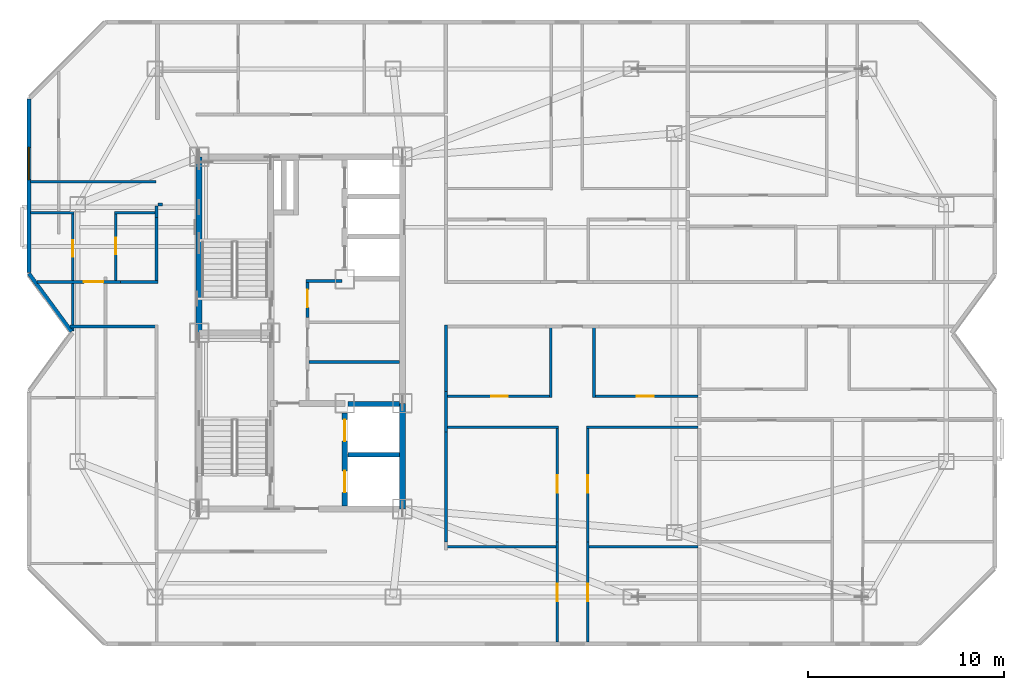
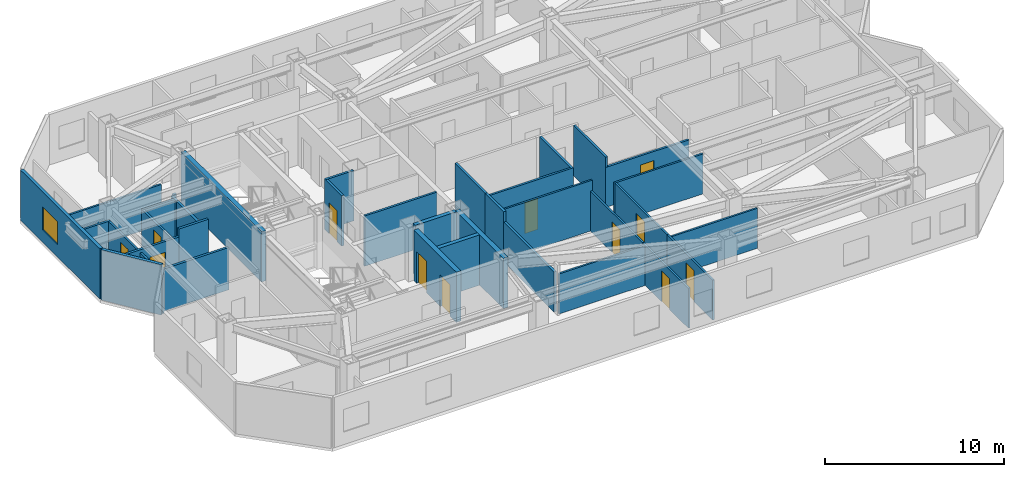
# One storey, part 5 of 10: 36 walls, 12 doors, 1 window, 13 openings.
"""IFC4 building model written with IfcOpenShell, lengths in metres."""

from ifc_helpers import new_model, si_unit, direction, frame, frame_2d, origin, place, context, subcontext, project, spatial, rectangle, extrude, material, layer, layer_set, type_object, element, fill, save


model = new_model("IFC4")

# Units and contexts
model_context = context("Model", 3, precision=1e-05, world=origin(), true_north=direction((0.0, 1.0)))
body_context = subcontext(model_context, "Body", "Model", "MODEL_VIEW")
ifc_project = project(units=[si_unit("LENGTHUNIT", "METRE"), si_unit("AREAUNIT", "SQUARE_METRE"), si_unit("VOLUMEUNIT", "CUBIC_METRE"), si_unit("PLANEANGLEUNIT", "RADIAN"), si_unit("MASSUNIT", "GRAM", prefix="KILO")], contexts=[model_context])

# Site, building, storey
site_placement = place(None, origin())
site = spatial("IfcSite", under=ifc_project, at=site_placement, CompositionType="ELEMENT")
building_placement = place(site_placement, origin())
building = spatial("IfcBuilding", under=site, at=building_placement, Name="Khamvora Tower", CompositionType="ELEMENT")
storey_placement = place(building_placement, frame((0.0, 0.0, 257.35009765625)))
storey = spatial("IfcBuildingStorey", under=building, at=storey_placement, Name="L66", CompositionType="ELEMENT", Elevation=257.35009765625)

# Walls
ifc_material_1 = material(Name="Concrete C50/60", Category="concrete")
ifc_layer_1 = layer(ifc_material_1, 0.300048828125)
ifc_layer_set_1 = layer_set([ifc_layer_1], Name="Concrete C50/60")
wall_type_1 = type_object("IfcWallType", Name="WAL-CORE-300", PredefinedType="SHEAR", material=ifc_layer_set_1)
wall_1_placement = place(storey_placement, frame((29.0, 28.0, 0.0), z_axis=(0.0, 0.0, 1.0), x_axis=(0.0, 1.0, 0.0)))
element("IfcWall", 1, at=wall_1_placement, inside=storey, type_object=wall_type_1, Name="L66 central core west north wall", PredefinedType="SHEAR", context=body_context, shape_type="SweptSolid", body=[
    extrude(rectangle(XDim=9.0, YDim=0.300048828125, at=frame_2d((4.5, 0.0))), origin(), (0.0, 0.0, 1.0), 3.429931640625),
])
wall_2_placement = place(storey_placement, frame((39.39990234375, 19.0, 0.0), z_axis=(0.0, 0.0, 1.0), x_axis=(0.0, 1.0, 0.0)))
element("IfcWall", 2, at=wall_2_placement, inside=storey, type_object=wall_type_1, Name="L66 central core east south wall", PredefinedType="SHEAR", context=body_context, shape_type="SweptSolid", body=[
    extrude(rectangle(XDim=5.39990234375, YDim=0.300048828125, at=frame_2d((2.699951171875, 0.0))), origin(), (0.0, 0.0, 1.0), 3.429931640625),
])

# Wall, openings, doors
wall_3_placement = place(storey_placement, frame((36.449951171875, 19.154052734375, 0.0), z_axis=(0.0, 0.0, 1.0), x_axis=(0.0, 1.0, 0.0)))
wall_3 = element("IfcWall", 3, at=wall_3_placement, inside=storey, type_object=wall_type_1, Name="L66 central core lift bank south wall", PredefinedType="SHEAR", context=body_context, shape_type="SweptSolid", body=[
    extrude(rectangle(XDim=4.745849609375, YDim=0.300048828125, at=frame_2d((2.373046875, 0.0))), origin(), (0.0, 0.0, 1.0), 3.429931640625),
])
opening_1_placement = place(wall_3_placement, frame((0.696044921875, 0.0, 0.0)))
opening_1 = element("IfcOpeningElement", 4, at=opening_1_placement, cuts=wall_3, Name="Opening LD-FFL", PredefinedType="OPENING", context=body_context, shape_type="SweptSolid", body=[
    extrude(rectangle(XDim=1.10009765625, YDim=2.14990234375, at=frame_2d((0.550048828125, 1.074951171875))), frame((0.0, 0.159912109375, 0.0), z_axis=(0.0, -1.0, 0.0), x_axis=(1.0, 0.0, 0.0)), (0.0, 0.0, 1.0), 0.320068359375),
])
opening_2_placement = place(wall_3_placement, frame((3.31591796875, 0.0, 0.0)))
opening_2 = element("IfcOpeningElement", 5, at=opening_2_placement, cuts=wall_3, Name="Opening LD-FFL", PredefinedType="OPENING", context=body_context, shape_type="SweptSolid", body=[
    extrude(rectangle(XDim=1.10009765625, YDim=2.14990234375, at=frame_2d((0.550048828125, 1.074951171875))), frame((0.0, 0.159912109375, 0.0), z_axis=(0.0, -1.0, 0.0), x_axis=(1.0, 0.0, 0.0)), (0.0, 0.0, 1.0), 0.320068359375),
])
ifc_material_2 = material(Name="Powder-Coated Steel and Hardwood Leaf", Category="steel")
door_type_1 = type_object("IfcDoorType", Name="DOR-LIFT-1100", OperationType="SLIDING_TO_LEFT", PredefinedType="DOOR", material=ifc_material_2)
door_1_placement = place(opening_1_placement, origin())
door_1 = element("IfcDoor", 6, at=door_1_placement, inside=storey, type_object=door_type_1, Name="L66 lift landing sliding door FFL-01", OperationType="SLIDING_TO_LEFT", OverallHeight=2.14990234375, OverallWidth=1.10009765625, PredefinedType="DOOR", context=body_context, shape_type="SweptSolid", body=[
    extrude(rectangle(XDim=1.10009765625, YDim=2.14990234375, at=frame_2d((0.550048828125, 1.074951171875))), frame((0.0, 0.02490234375, 0.0), z_axis=(0.0, -1.0, 0.0), x_axis=(1.0, 0.0, 0.0)), (0.0, 0.0, 1.0), 0.050048828125),
])
fill(opening_1, door_1)
door_2_placement = place(opening_2_placement, origin())
door_2 = element("IfcDoor", 7, at=door_2_placement, inside=storey, type_object=door_type_1, Name="L66 lift landing sliding door FFL-02", OperationType="SLIDING_TO_LEFT", OverallHeight=2.14990234375, OverallWidth=1.10009765625, PredefinedType="DOOR", context=body_context, shape_type="SweptSolid", body=[
    extrude(rectangle(XDim=1.10009765625, YDim=2.14990234375, at=frame_2d((0.550048828125, 1.074951171875))), frame((0.0, 0.02490234375, 0.0), z_axis=(0.0, -1.0, 0.0), x_axis=(1.0, 0.0, 0.0)), (0.0, 0.0, 1.0), 0.050048828125),
])
fill(opening_2, door_2)

# Wall
ifc_material_3 = material(Name="Fire-Rated Drywall and Steel Stud", Category="steel")
ifc_layer_2 = layer(ifc_material_3, 0.14990234375)
ifc_layer_set_2 = layer_set([ifc_layer_2], Name="Fire-Rated Drywall and Steel Stud")
wall_type_2 = type_object("IfcWallType", Name="WAL-CORR-150", PredefinedType="STANDARD", material=ifc_layer_set_2)
wall_4_placement = place(storey_placement, frame((36.300048828125, 30.6650390625, 0.0), z_axis=(0.0, 0.0, 1.0), x_axis=(-1.0, 0.0, 0.0)))
element("IfcWall", 8, at=wall_4_placement, inside=storey, type_object=wall_type_2, Name="L66 interior partition wall 003", PredefinedType="STANDARD", context=body_context, shape_type="SweptSolid", body=[
    extrude(rectangle(XDim=1.820068359375, YDim=0.14990234375, at=frame_2d((0.91015625, 0.0))), origin(), (0.0, 0.0, 1.0), 3.429931640625),
])

# Wall, opening, door
wall_5_placement = place(storey_placement, frame((34.544921875, 30.72998046875, 0.0), z_axis=(0.0, 0.0, 1.0), x_axis=(0.0, -1.0, 0.0)))
wall_5 = element("IfcWall", 9, at=wall_5_placement, inside=storey, type_object=wall_type_2, Name="L66 interior partition wall 004", PredefinedType="STANDARD", context=body_context, shape_type="SweptSolid", body=[
    extrude(rectangle(XDim=1.93603515625, YDim=0.14990234375, at=frame_2d((0.968017578125, 0.0))), origin(), (0.0, 0.0, 1.0), 3.429931640625),
])
opening_3_placement = place(wall_5_placement, frame((0.51806640625, 0.0, 0.0)))
opening_3 = element("IfcOpeningElement", 10, at=opening_3_placement, cuts=wall_5, Name="Opening D-RM1", PredefinedType="OPENING", context=body_context, shape_type="SweptSolid", body=[
    extrude(rectangle(XDim=0.89990234375, YDim=2.10009765625, at=frame_2d((0.449951171875, 1.050048828125))), frame((0.0, 0.0849609375, 0.0), z_axis=(0.0, -1.0, 0.0), x_axis=(1.0, 0.0, 0.0)), (0.0, 0.0, 1.0), 0.169921875),
])
door_type_2 = type_object("IfcDoorType", Name="DOR-ROOM-900", OperationType="NOTDEFINED", PredefinedType="DOOR", material=ifc_material_2)
door_3_placement = place(opening_3_placement, origin())
door_3 = element("IfcDoor", 11, at=door_3_placement, inside=storey, type_object=door_type_2, Name="L66 interior door PHL-CS3", OperationType="SINGLE_SWING_RIGHT", OverallHeight=2.10009765625, OverallWidth=0.89990234375, PredefinedType="DOOR", context=body_context, shape_type="SweptSolid", body=[
    extrude(rectangle(XDim=0.89990234375, YDim=2.10009765625, at=frame_2d((0.449951171875, 1.050048828125))), frame((0.0, 0.02490234375, 0.0), z_axis=(0.0, -1.0, 0.0), x_axis=(1.0, 0.0, 0.0)), (0.0, 0.0, 1.0), 0.050048828125),
])
fill(opening_3, door_3)

# Wall
wall_6_placement = place(storey_placement, frame((26.89794921875, 28.3349609375, 0.0), z_axis=(0.0, 0.0, 1.0), x_axis=(-1.0, 0.0, 0.0)))
element("IfcWall", 12, at=wall_6_placement, inside=storey, type_object=wall_type_2, Name="L66 interior partition wall 010", PredefinedType="STANDARD", context=body_context, shape_type="SweptSolid", body=[
    extrude(rectangle(XDim=4.505859375, YDim=0.14990234375, at=frame_2d((2.2529296875, 0.0))), origin(), (0.0, 0.0, 1.0), 2.886962890625),
])

# Wall, opening, door
wall_7_placement = place(storey_placement, frame((20.720947265625, 30.614990234375, 0.0), z_axis=(0.0, 0.0, 1.0), x_axis=(1.0, 0.0, 0.0)))
wall_7 = element("IfcWall", 13, at=wall_7_placement, inside=storey, type_object=wall_type_2, Name="L66 interior partition wall 011", PredefinedType="STANDARD", context=body_context, shape_type="SweptSolid", body=[
    extrude(rectangle(XDim=4.275146484375, YDim=0.14990234375, at=frame_2d((2.1376953125, 0.0))), origin(), (0.0, 0.0, 1.0), 2.886962890625),
])
opening_4_placement = place(wall_7_placement, frame((2.385986328125, 0.0, 0.0)))
opening_4 = element("IfcOpeningElement", 14, at=opening_4_placement, cuts=wall_7, Name="Opening D-U1", PredefinedType="OPENING", context=body_context, shape_type="SweptSolid", body=[
    extrude(rectangle(XDim=1.0, YDim=2.14990234375, at=frame_2d((0.5, 1.074951171875))), frame((0.0, 0.0849609375, 0.0), z_axis=(0.0, -1.0, 0.0), x_axis=(1.0, 0.0, 0.0)), (0.0, 0.0, 1.0), 0.169921875),
])
door_type_3 = type_object("IfcDoorType", Name="DOR-UNIT-1000", OperationType="NOTDEFINED", PredefinedType="DOOR", material=ifc_material_2)
door_4_placement = place(opening_4_placement, origin())
door_4 = element("IfcDoor", 15, at=door_4_placement, inside=storey, type_object=door_type_3, Name="L66 interior door COR-66WBH", OperationType="SINGLE_SWING_LEFT", OverallHeight=2.14990234375, OverallWidth=1.0, PredefinedType="DOOR", context=body_context, shape_type="SweptSolid", body=[
    extrude(rectangle(XDim=1.0, YDim=2.14990234375, at=frame_2d((0.5, 1.074951171875))), frame((0.0, 0.02490234375, 0.0), z_axis=(0.0, -1.0, 0.0), x_axis=(1.0, 0.0, 0.0)), (0.0, 0.0, 1.0), 0.050048828125),
])
fill(opening_4, door_4)

# Walls
wall_8_placement = place(storey_placement, frame((26.8349609375, 33.89404296875, 0.0), z_axis=(0.0, 0.0, 1.0), x_axis=(0.0, 1.0, 0.0)))
element("IfcWall", 16, at=wall_8_placement, inside=storey, type_object=wall_type_2, Name="L66 interior partition wall 012", PredefinedType="STANDARD", context=body_context, shape_type="SweptSolid", body=[
    extrude(rectangle(XDim=0.60595703125, YDim=0.14990234375, at=frame_2d((0.302978515625, 0.0))), origin(), (0.0, 0.0, 1.0), 2.68701171875),
])
wall_9_placement = place(storey_placement, frame((26.89990234375, 34.56494140625, 0.0), z_axis=(0.0, 0.0, 1.0), x_axis=(1.0, 0.0, 0.0)))
element("IfcWall", 17, at=wall_9_placement, inside=storey, type_object=wall_type_2, Name="L66 interior partition wall 013", PredefinedType="STANDARD", context=body_context, shape_type="SweptSolid", body=[
    extrude(rectangle(XDim=0.22412109375, YDim=0.14990234375, at=frame_2d((0.112060546875, 0.0))), origin(), (0.0, 0.0, 1.0), 2.68701171875),
])
wall_10_placement = place(storey_placement, frame((24.99609375, 30.614990234375, 0.0), z_axis=(0.0, 0.0, 1.0), x_axis=(1.0, 0.0, 0.0)))
element("IfcWall", 18, at=wall_10_placement, inside=storey, type_object=wall_type_2, Name="L66 interior partition wall 014", PredefinedType="STANDARD", context=body_context, shape_type="SweptSolid", body=[
    extrude(rectangle(XDim=1.90380859375, YDim=0.14990234375, at=frame_2d((0.951904296875, 0.0))), origin(), (0.0, 0.0, 1.0), 3.429931640625),
])
wall_11_placement = place(storey_placement, frame((26.8349609375, 30.552001953125, 0.0), z_axis=(0.0, 0.0, 1.0), x_axis=(0.0, 1.0, 0.0)))
element("IfcWall", 19, at=wall_11_placement, inside=storey, type_object=wall_type_2, Name="L66 interior partition wall 015", PredefinedType="STANDARD", context=body_context, shape_type="SweptSolid", body=[
    extrude(rectangle(XDim=3.342041015625, YDim=0.14990234375, at=frame_2d((1.6708984375, 0.0))), origin(), (0.0, 0.0, 1.0), 2.68701171875),
])
wall_12_placement = place(storey_placement, frame((41.614990234375, 25.00390625, 0.0), z_axis=(0.0, 0.0, 1.0), x_axis=(0.0, -1.0, 0.0)))
element("IfcWall", 20, at=wall_12_placement, inside=storey, type_object=wall_type_2, Name="L66 interior partition wall 020", PredefinedType="STANDARD", context=body_context, shape_type="SweptSolid", body=[
    extrude(rectangle(XDim=2.077880859375, YDim=0.14990234375, at=frame_2d((1.0390625, 0.0))), origin(), (0.0, 0.0, 1.0), 3.429931640625),
])
wall_13_placement = place(storey_placement, frame((41.614990234375, 28.39794921875, 0.0), z_axis=(0.0, 0.0, 1.0), x_axis=(0.0, -1.0, 0.0)))
element("IfcWall", 21, at=wall_13_placement, inside=storey, type_object=wall_type_2, Name="L66 interior partition wall 022", PredefinedType="STANDARD", context=body_context, shape_type="SweptSolid", body=[
    extrude(rectangle(XDim=3.39404296875, YDim=0.14990234375, at=frame_2d((1.697021484375, 0.0))), origin(), (0.0, 0.0, 1.0), 3.429931640625),
])
wall_14_placement = place(storey_placement, frame((41.614990234375, 22.926025390625, 0.0), z_axis=(0.0, 0.0, 1.0), x_axis=(0.0, -1.0, 0.0)))
element("IfcWall", 22, at=wall_14_placement, inside=storey, type_object=wall_type_2, Name="L66 interior partition wall 025", PredefinedType="STANDARD", context=body_context, shape_type="SweptSolid", body=[
    extrude(rectangle(XDim=5.612060546875, YDim=0.14990234375, at=frame_2d((2.80615234375, 0.0))), origin(), (0.0, 0.0, 1.0), 2.724853515625),
])
ifc_material_4 = material(Name="Precast concrete C40/50", Category="concrete")
ifc_layer_3 = layer(ifc_material_4, 0.199951171875)
ifc_layer_set_3 = layer_set([ifc_layer_3], Name="Precast concrete C40/50")
wall_type_3 = type_object("IfcWallType", Name="WAL-EXT-200", PredefinedType="STANDARD", material=ifc_layer_set_3)
wall_15_placement = place(storey_placement, frame((22.472900390625, 28.069091796875, 0.0), z_axis=(0.0, 0.0, 1.0), x_axis=(-0.591248456881, 0.80648946815, 0.0)))
element("IfcWall", 23, at=wall_15_placement, inside=storey, type_object=wall_type_3, Name="L66 exterior facade wall 04.1", PredefinedType="STANDARD", context=body_context, shape_type="SweptSolid", body=[
    extrude(rectangle(XDim=3.675048828125, YDim=0.199951171875, at=frame_2d((1.83740234375, 0.0))), origin(), (0.0, 0.0, 1.0), 3.429931640625),
])

# Wall, opening, window
wall_16_placement = place(storey_placement, frame((20.300048828125, 31.083984375, 0.0), z_axis=(0.0, 0.0, 1.0), x_axis=(0.0, 1.0, 0.0)))
wall_16 = element("IfcWall", 24, at=wall_16_placement, inside=storey, type_object=wall_type_3, Name="L66 exterior facade wall 05.1", PredefinedType="STANDARD", context=body_context, shape_type="SweptSolid", body=[
    extrude(rectangle(XDim=8.875, YDim=0.199951171875, at=frame_2d((4.4375, 0.0))), origin(), (0.0, 0.0, 1.0), 3.429931640625),
])
opening_5_placement = place(wall_16_placement, frame((4.75, 0.0, 0.85009765625)))
opening_5 = element("IfcOpeningElement", 25, at=opening_5_placement, cuts=wall_16, Name="Opening WN-06", PredefinedType="OPENING", context=body_context, shape_type="SweptSolid", body=[
    extrude(rectangle(XDim=1.64990234375, YDim=1.550048828125, at=frame_2d((0.824951171875, 0.77490234375))), frame((0.0, 0.10986328125, 0.0), z_axis=(0.0, -1.0, 0.0), x_axis=(1.0, 0.0, 0.0)), (0.0, 0.0, 1.0), 0.219970703125),
])
ifc_material_5 = material(Name="Low-E Laminated Double Glazing", Category="glass")
window_type = type_object("IfcWindowType", Name="WIN-VIS-1650x1550", PartitioningType="SINGLE_PANEL", PredefinedType="WINDOW", material=ifc_material_5)
window_placement = place(opening_5_placement, origin())
window = element("IfcWindow", 26, at=window_placement, inside=storey, type_object=window_type, Name="L66 vision window 05.1.01", OverallHeight=1.550048828125, OverallWidth=1.64990234375, PartitioningType="SINGLE_PANEL", PredefinedType="WINDOW", context=body_context, shape_type="SweptSolid", body=[
    extrude(rectangle(XDim=1.64990234375, YDim=1.550048828125, at=frame_2d((0.824951171875, 0.77490234375))), frame((0.0, 0.030029296875, 0.0), z_axis=(0.0, -1.0, 0.0), x_axis=(1.0, 0.0, 0.0)), (0.0, 0.0, 1.0), 0.06005859375),
])
fill(opening_5, window)

# Wall
ifc_material_6 = material(Name="Gypsum Plasterboard Partition", Category="gypsum")
ifc_layer_4 = layer(ifc_material_6, 0.1201171875)
ifc_layer_set_4 = layer_set([ifc_layer_4], Name="Gypsum Plasterboard Partition")
wall_type_4 = type_object("IfcWallType", Name="WAL-PART-120", PredefinedType="PARTITIONING", material=ifc_layer_set_4)
wall_17_placement = place(storey_placement, frame((20.39208984375, 35.722900390625, 0.0), z_axis=(0.0, 0.0, 1.0), x_axis=(1.0, 0.0, 0.0)))
element("IfcWall", 27, at=wall_17_placement, inside=storey, type_object=wall_type_4, Name="L66 interior partition wall 050", PredefinedType="PARTITIONING", context=body_context, shape_type="SweptSolid", body=[
    extrude(rectangle(XDim=6.41796875, YDim=0.1201171875, at=frame_2d((3.208984375, 0.0))), origin(), (0.0, 0.0, 1.0), 2.724853515625),
])

# Wall, opening, door
wall_18_placement = place(storey_placement, frame((47.304931640625, 12.19189453125, 0.0), z_axis=(0.0, 0.0, 1.0), x_axis=(0.0, 1.0, 0.0)))
wall_18 = element("IfcWall", 28, at=wall_18_placement, inside=storey, type_object=wall_type_4, Name="L66 interior partition wall 062", PredefinedType="PARTITIONING", context=body_context, shape_type="SweptSolid", body=[
    extrude(rectangle(XDim=5.1220703125, YDim=0.1201171875, at=frame_2d((2.56103515625, 0.0))), origin(), (0.0, 0.0, 1.0), 2.724853515625),
])
opening_6_placement = place(wall_18_placement, frame((2.090087890625, 0.0, 0.0)))
opening_6 = element("IfcOpeningElement", 29, at=opening_6_placement, cuts=wall_18, Name="Opening D-RM1", PredefinedType="OPENING", context=body_context, shape_type="SweptSolid", body=[
    extrude(rectangle(XDim=0.89990234375, YDim=2.10009765625, at=frame_2d((0.449951171875, 1.050048828125))), frame((0.0, 0.070068359375, 0.0), z_axis=(0.0, -1.0, 0.0), x_axis=(1.0, 0.0, 0.0)), (0.0, 0.0, 1.0), 0.14013671875),
])
door_5_placement = place(opening_6_placement, origin())
door_5 = element("IfcDoor", 30, at=door_5_placement, inside=storey, type_object=door_type_2, Name="L66 interior door 66EA1H-66EA1L", OperationType="SINGLE_SWING_LEFT", OverallHeight=2.10009765625, OverallWidth=0.89990234375, PredefinedType="DOOR", context=body_context, shape_type="SweptSolid", body=[
    extrude(rectangle(XDim=0.89990234375, YDim=2.10009765625, at=frame_2d((0.449951171875, 1.050048828125))), frame((0.0, 0.02490234375, 0.0), z_axis=(0.0, -1.0, 0.0), x_axis=(1.0, 0.0, 0.0)), (0.0, 0.0, 1.0), 0.050048828125),
])
fill(opening_6, door_5)

wall_19_placement = place(storey_placement, frame((47.304931640625, 17.31396484375, 0.0), z_axis=(0.0, 0.0, 1.0), x_axis=(0.0, 1.0, 0.0)))
wall_19 = element("IfcWall", 31, at=wall_19_placement, inside=storey, type_object=wall_type_4, Name="L66 interior partition wall 063", PredefinedType="PARTITIONING", context=body_context, shape_type="SweptSolid", body=[
    extrude(rectangle(XDim=5.926025390625, YDim=0.1201171875, at=frame_2d((2.962890625, 0.0))), origin(), (0.0, 0.0, 1.0), 2.724853515625),
])
opening_7_placement = place(wall_19_placement, frame((2.512939453125, 0.0, 0.0)))
opening_7 = element("IfcOpeningElement", 32, at=opening_7_placement, cuts=wall_19, Name="Opening D-RM1", PredefinedType="OPENING", context=body_context, shape_type="SweptSolid", body=[
    extrude(rectangle(XDim=0.89990234375, YDim=2.10009765625, at=frame_2d((0.449951171875, 1.050048828125))), frame((0.0, 0.070068359375, 0.0), z_axis=(0.0, -1.0, 0.0), x_axis=(1.0, 0.0, 0.0)), (0.0, 0.0, 1.0), 0.14013671875),
])
door_6_placement = place(opening_7_placement, origin())
door_6 = element("IfcDoor", 33, at=door_6_placement, inside=storey, type_object=door_type_2, Name="L66 interior door 66EA1H-66EA1R2", OperationType="SINGLE_SWING_RIGHT", OverallHeight=2.10009765625, OverallWidth=0.89990234375, PredefinedType="DOOR", context=body_context, shape_type="SweptSolid", body=[
    extrude(rectangle(XDim=0.89990234375, YDim=2.10009765625, at=frame_2d((0.449951171875, 1.050048828125))), frame((0.0, 0.02490234375, 0.0), z_axis=(0.0, -1.0, 0.0), x_axis=(1.0, 0.0, 0.0)), (0.0, 0.0, 1.0), 0.050048828125),
])
fill(opening_7, door_6)

# Wall
wall_20_placement = place(storey_placement, frame((47.3701171875, 23.175048828125, 0.0), z_axis=(0.0, 0.0, 1.0), x_axis=(-1.0, 0.0, 0.0)))
element("IfcWall", 34, at=wall_20_placement, inside=storey, type_object=wall_type_4, Name="L66 interior partition wall 064", PredefinedType="PARTITIONING", context=body_context, shape_type="SweptSolid", body=[
    extrude(rectangle(XDim=5.688232421875, YDim=0.1201171875, at=frame_2d((2.84423828125, 0.0))), origin(), (0.0, 0.0, 1.0), 3.429931640625),
])

# Wall, opening, door
wall_21_placement = place(storey_placement, frame((48.875, 17.31396484375, 0.0), z_axis=(0.0, 0.0, 1.0), x_axis=(0.0, -1.0, 0.0)))
wall_21 = element("IfcWall", 35, at=wall_21_placement, inside=storey, type_object=wall_type_4, Name="L66 interior partition wall 065", PredefinedType="PARTITIONING", context=body_context, shape_type="SweptSolid", body=[
    extrude(rectangle(XDim=5.1220703125, YDim=0.1201171875, at=frame_2d((2.56103515625, 0.0))), origin(), (0.0, 0.0, 1.0), 2.724853515625),
])
opening_8_placement = place(wall_21_placement, frame((2.132080078125, 0.0, 0.0)))
opening_8 = element("IfcOpeningElement", 36, at=opening_8_placement, cuts=wall_21, Name="Opening D-RM1", PredefinedType="OPENING", context=body_context, shape_type="SweptSolid", body=[
    extrude(rectangle(XDim=0.89990234375, YDim=2.10009765625, at=frame_2d((0.449951171875, 1.050048828125))), frame((0.0, 0.070068359375, 0.0), z_axis=(0.0, -1.0, 0.0), x_axis=(1.0, 0.0, 0.0)), (0.0, 0.0, 1.0), 0.14013671875),
])
door_7_placement = place(opening_8_placement, origin())
door_7 = element("IfcDoor", 37, at=door_7_placement, inside=storey, type_object=door_type_2, Name="L66 interior door 66EA1H-66EA1R3", OperationType="SINGLE_SWING_LEFT", OverallHeight=2.10009765625, OverallWidth=0.89990234375, PredefinedType="DOOR", context=body_context, shape_type="SweptSolid", body=[
    extrude(rectangle(XDim=0.89990234375, YDim=2.10009765625, at=frame_2d((0.449951171875, 1.050048828125))), frame((0.0, 0.02490234375, 0.0), z_axis=(0.0, -1.0, 0.0), x_axis=(1.0, 0.0, 0.0)), (0.0, 0.0, 1.0), 0.050048828125),
])
fill(opening_8, door_7)

wall_22_placement = place(storey_placement, frame((48.875, 23.239990234375, 0.0), z_axis=(0.0, 0.0, 1.0), x_axis=(0.0, -1.0, 0.0)))
wall_22 = element("IfcWall", 38, at=wall_22_placement, inside=storey, type_object=wall_type_4, Name="L66 interior partition wall 066", PredefinedType="PARTITIONING", context=body_context, shape_type="SweptSolid", body=[
    extrude(rectangle(XDim=5.926025390625, YDim=0.1201171875, at=frame_2d((2.962890625, 0.0))), origin(), (0.0, 0.0, 1.0), 2.724853515625),
])
opening_9_placement = place(wall_22_placement, frame((2.512939453125, 0.0, 0.0)))
opening_9 = element("IfcOpeningElement", 39, at=opening_9_placement, cuts=wall_22, Name="Opening D-RM1", PredefinedType="OPENING", context=body_context, shape_type="SweptSolid", body=[
    extrude(rectangle(XDim=0.89990234375, YDim=2.10009765625, at=frame_2d((0.449951171875, 1.050048828125))), frame((0.0, 0.070068359375, 0.0), z_axis=(0.0, -1.0, 0.0), x_axis=(1.0, 0.0, 0.0)), (0.0, 0.0, 1.0), 0.14013671875),
])
door_8_placement = place(opening_9_placement, origin())
door_8 = element("IfcDoor", 40, at=door_8_placement, inside=storey, type_object=door_type_2, Name="L66 interior door 66EA1H-66EA1R4", OperationType="SINGLE_SWING_RIGHT", OverallHeight=2.10009765625, OverallWidth=0.89990234375, PredefinedType="DOOR", context=body_context, shape_type="SweptSolid", body=[
    extrude(rectangle(XDim=0.89990234375, YDim=2.10009765625, at=frame_2d((0.449951171875, 1.050048828125))), frame((0.0, 0.02490234375, 0.0), z_axis=(0.0, -1.0, 0.0), x_axis=(1.0, 0.0, 0.0)), (0.0, 0.0, 1.0), 0.050048828125),
])
fill(opening_9, door_8)

# Walls
wall_23_placement = place(storey_placement, frame((54.5, 23.175048828125, 0.0), z_axis=(0.0, 0.0, 1.0), x_axis=(-1.0, 0.0, 0.0)))
element("IfcWall", 41, at=wall_23_placement, inside=storey, type_object=wall_type_4, Name="L66 interior partition wall 067", PredefinedType="PARTITIONING", context=body_context, shape_type="SweptSolid", body=[
    extrude(rectangle(XDim=5.68994140625, YDim=0.1201171875, at=frame_2d((2.844970703125, 0.0))), origin(), (0.0, 0.0, 1.0), 2.724853515625),
])
wall_24_placement = place(storey_placement, frame((41.681884765625, 17.06494140625, 0.0), z_axis=(0.0, 0.0, 1.0), x_axis=(1.0, 0.0, 0.0)))
element("IfcWall", 42, at=wall_24_placement, inside=storey, type_object=wall_type_4, Name="L66 interior partition wall 071", PredefinedType="PARTITIONING", context=body_context, shape_type="SweptSolid", body=[
    extrude(rectangle(XDim=5.569091796875, YDim=0.1201171875, at=frame_2d((2.78466796875, 0.0))), origin(), (0.0, 0.0, 1.0), 2.724853515625),
])
wall_25_placement = place(storey_placement, frame((48.928955078125, 17.06494140625, 0.0), z_axis=(0.0, 0.0, 1.0), x_axis=(1.0, 0.0, 0.0)))
element("IfcWall", 43, at=wall_25_placement, inside=storey, type_object=wall_type_4, Name="L66 interior partition wall 072", PredefinedType="PARTITIONING", context=body_context, shape_type="SweptSolid", body=[
    extrude(rectangle(XDim=5.571044921875, YDim=0.1201171875, at=frame_2d((2.78564453125, 0.0))), origin(), (0.0, 0.0, 1.0), 2.724853515625),
])
ifc_material_7 = material(Name="Concrete C40/50", Category="concrete")
ifc_layer_5 = layer(ifc_material_7, 0.25)
ifc_layer_set_5 = layer_set([ifc_layer_5], Name="Concrete C40/50")
wall_type_5 = type_object("IfcWallType", Name="WAL-PODS-250", PredefinedType="SHEAR", material=ifc_layer_set_5)
for number, where, z_axis, x_axis, name in (
    (44, (36.60400390625, 21.77490234375, 0.0), (0.0, 0.0, 1.0), (1.0, 0.0, 0.0), "L66 lift shaft divider wall FFL-01"),
    (45, (36.60400390625, 24.375, 0.0), (0.0, 0.0, 1.0), (1.0, 0.0, 0.0), "L66 lift shaft divider wall FFL-02"),
):
    element("IfcWall", number, at=place(storey_placement, frame(where, z_axis=z_axis, x_axis=x_axis)), inside=storey, type_object=wall_type_5, Name=name, PredefinedType="SHEAR", context=body_context, shape_type="SweptSolid", body=[
        extrude(rectangle(XDim=2.64208984375, YDim=0.25, at=frame_2d((1.321044921875, 0.0))), origin(), (0.0, 0.0, 1.0), 3.429931640625),
    ])
ifc_material_8 = material(Name="Moisture-Resistant Plasterboard Partition", Category="gypsum")
ifc_layer_6 = layer(ifc_material_8, 0.135009765625)
ifc_layer_set_6 = layer_set([ifc_layer_6], Name="Moisture-Resistant Plasterboard Partition")
wall_type_6 = type_object("IfcWallType", Name="WAL-WET-135", PredefinedType="PARTITIONING", material=ifc_layer_set_6)
wall_26_placement = place(storey_placement, frame((34.612060546875, 26.514892578125, 0.0), z_axis=(0.0, 0.0, 1.0), x_axis=(1.0, 0.0, 0.0)))
element("IfcWall", 46, at=wall_26_placement, inside=storey, type_object=wall_type_6, Name="L66 interior partition wall 005", PredefinedType="PARTITIONING", context=body_context, shape_type="SweptSolid", body=[
    extrude(rectangle(XDim=4.64404296875, YDim=0.135009765625, at=frame_2d((2.322021484375, 0.0))), origin(), (0.0, 0.0, 1.0), 3.429931640625),
])
wall_27_placement = place(storey_placement, frame((26.77001953125, 34.14306640625, 0.0), z_axis=(0.0, 0.0, 1.0), x_axis=(-1.0, 0.0, 0.0)))
element("IfcWall", 47, at=wall_27_placement, inside=storey, type_object=wall_type_6, Name="L66 interior partition wall 045", PredefinedType="PARTITIONING", context=body_context, shape_type="SweptSolid", body=[
    extrude(rectangle(XDim=2.088134765625, YDim=0.135009765625, at=frame_2d((1.0439453125, 0.0))), origin(), (0.0, 0.0, 1.0), 2.68701171875),
])

# Wall, opening, door
wall_28_placement = place(storey_placement, frame((24.7470703125, 34.2080078125, 0.0), z_axis=(0.0, 0.0, 1.0), x_axis=(0.0, -1.0, 0.0)))
wall_28 = element("IfcWall", 48, at=wall_28_placement, inside=storey, type_object=wall_type_6, Name="L66 interior partition wall 046", PredefinedType="PARTITIONING", context=body_context, shape_type="SweptSolid", body=[
    extrude(rectangle(XDim=3.528076171875, YDim=0.135009765625, at=frame_2d((1.76416015625, 0.0))), origin(), (0.0, 0.0, 1.0), 2.68701171875),
])
opening_10_placement = place(wall_28_placement, frame((1.339111328125, 0.0, 0.0)))
opening_10 = element("IfcOpeningElement", 49, at=opening_10_placement, cuts=wall_28, Name="Opening D-WC1", PredefinedType="OPENING", context=body_context, shape_type="SweptSolid", body=[
    extrude(rectangle(XDim=0.85009765625, YDim=2.10009765625, at=frame_2d((0.425048828125, 1.050048828125))), frame((0.0, 0.077392578125, 0.0), z_axis=(0.0, -1.0, 0.0), x_axis=(1.0, 0.0, 0.0)), (0.0, 0.0, 1.0), 0.155029296875),
])
door_type_4 = type_object("IfcDoorType", Name="DOR-WET-850", OperationType="NOTDEFINED", PredefinedType="DOOR", material=ifc_material_2)
door_9_placement = place(opening_10_placement, origin())
door_9 = element("IfcDoor", 50, at=door_9_placement, inside=storey, type_object=door_type_4, Name="L66 interior door 66WBH-66WBB", OperationType="SINGLE_SWING_RIGHT", OverallHeight=2.10009765625, OverallWidth=0.85009765625, PredefinedType="DOOR", context=body_context, shape_type="SweptSolid", body=[
    extrude(rectangle(XDim=0.85009765625, YDim=2.10009765625, at=frame_2d((0.425048828125, 1.050048828125))), frame((0.0, 0.02490234375, 0.0), z_axis=(0.0, -1.0, 0.0), x_axis=(1.0, 0.0, 0.0)), (0.0, 0.0, 1.0), 0.050048828125),
])
fill(opening_10, door_9)

wall_29_placement = place(storey_placement, frame((22.547119140625, 28.10400390625, 0.0), z_axis=(0.0, 0.0, 1.0), x_axis=(0.0, 1.0, 0.0)))
wall_29 = element("IfcWall", 51, at=wall_29_placement, inside=storey, type_object=wall_type_6, Name="L66 interior partition wall 047", PredefinedType="PARTITIONING", context=body_context, shape_type="SweptSolid", body=[
    extrude(rectangle(XDim=6.10400390625, YDim=0.135009765625, at=frame_2d((3.052001953125, 0.0))), origin(), (0.0, 0.0, 1.0), 2.68701171875),
])
opening_11_placement = place(wall_29_placement, frame((3.779052734375, 0.0, 0.0)))
opening_11 = element("IfcOpeningElement", 52, at=opening_11_placement, cuts=wall_29, Name="Opening D-RM2", PredefinedType="OPENING", context=body_context, shape_type="SweptSolid", body=[
    extrude(rectangle(XDim=0.85009765625, YDim=2.10009765625, at=frame_2d((0.425048828125, 1.050048828125))), frame((0.0, 0.077392578125, 0.0), z_axis=(0.0, -1.0, 0.0), x_axis=(1.0, 0.0, 0.0)), (0.0, 0.0, 1.0), 0.155029296875),
])
door_type_5 = type_object("IfcDoorType", Name="DOR-ROOM-850", OperationType="NOTDEFINED", PredefinedType="DOOR", material=ifc_material_2)
door_10_placement = place(opening_11_placement, origin())
door_10 = element("IfcDoor", 53, at=door_10_placement, inside=storey, type_object=door_type_5, Name="L66 interior door 66WBH-66WBK", OperationType="SINGLE_SWING_LEFT", OverallHeight=2.10009765625, OverallWidth=0.85009765625, PredefinedType="DOOR", context=body_context, shape_type="SweptSolid", body=[
    extrude(rectangle(XDim=0.85009765625, YDim=2.10009765625, at=frame_2d((0.425048828125, 1.050048828125))), frame((0.0, 0.02490234375, 0.0), z_axis=(0.0, -1.0, 0.0), x_axis=(1.0, 0.0, 0.0)), (0.0, 0.0, 1.0), 0.050048828125),
])
fill(opening_11, door_10)

# Wall
wall_30_placement = place(storey_placement, frame((22.612060546875, 34.14306640625, 0.0), z_axis=(0.0, 0.0, 1.0), x_axis=(-1.0, 0.0, 0.0)))
element("IfcWall", 54, at=wall_30_placement, inside=storey, type_object=wall_type_6, Name="L66 interior partition wall 048", PredefinedType="PARTITIONING", context=body_context, shape_type="SweptSolid", body=[
    extrude(rectangle(XDim=2.219970703125, YDim=0.135009765625, at=frame_2d((1.10986328125, 0.0))), origin(), (0.0, 0.0, 1.0), 2.68701171875),
])

# Wall, opening, door
wall_31_placement = place(storey_placement, frame((41.681884765625, 24.7548828125, 0.0), z_axis=(0.0, 0.0, 1.0), x_axis=(1.0, 0.0, 0.0)))
wall_31 = element("IfcWall", 55, at=wall_31_placement, inside=storey, type_object=wall_type_6, Name="L66 interior partition wall 058", PredefinedType="PARTITIONING", context=body_context, shape_type="SweptSolid", body=[
    extrude(rectangle(XDim=5.373046875, YDim=0.135009765625, at=frame_2d((2.6865234375, 0.0))), origin(), (0.0, 0.0, 1.0), 3.429931640625),
])
opening_12_placement = place(wall_31_placement, frame((2.261962890625, 0.0, 0.0)))
opening_12 = element("IfcOpeningElement", 56, at=opening_12_placement, cuts=wall_31, Name="Opening D-WC1", PredefinedType="OPENING", context=body_context, shape_type="SweptSolid", body=[
    extrude(rectangle(XDim=0.85009765625, YDim=2.10009765625, at=frame_2d((0.425048828125, 1.050048828125))), frame((0.0, 0.077392578125, 0.0), z_axis=(0.0, -1.0, 0.0), x_axis=(1.0, 0.0, 0.0)), (0.0, 0.0, 1.0), 0.155029296875),
])
door_11_placement = place(opening_12_placement, origin())
door_11 = element("IfcDoor", 57, at=door_11_placement, inside=storey, type_object=door_type_4, Name="L66 interior door 66EA1H-66EA1B", OperationType="SINGLE_SWING_LEFT", OverallHeight=2.10009765625, OverallWidth=0.85009765625, PredefinedType="DOOR", context=body_context, shape_type="SweptSolid", body=[
    extrude(rectangle(XDim=0.85009765625, YDim=2.10009765625, at=frame_2d((0.425048828125, 1.050048828125))), frame((0.0, 0.02490234375, 0.0), z_axis=(0.0, -1.0, 0.0), x_axis=(1.0, 0.0, 0.0)), (0.0, 0.0, 1.0), 0.050048828125),
])
fill(opening_12, door_11)

# Walls
for number, where, z_axis, x_axis, name in (
    (58, (46.989990234375, 24.68994140625, 0.0), (0.0, 0.0, 1.0), (0.0, 1.0, 0.0), "L66 interior partition wall 059"),
    (59, (49.18994140625, 28.27001953125, 0.0), (0.0, 0.0, 1.0), (0.0, -1.0, 0.0), "L66 interior partition wall 060"),
):
    element("IfcWall", number, at=place(storey_placement, frame(where, z_axis=z_axis, x_axis=x_axis)), inside=storey, type_object=wall_type_6, Name=name, PredefinedType="PARTITIONING", context=body_context, shape_type="SweptSolid", body=[
        extrude(rectangle(XDim=3.580078125, YDim=0.135009765625, at=frame_2d((1.7900390625, 0.0))), origin(), (0.0, 0.0, 1.0), 3.429931640625),
    ])

# Wall, opening, door
wall_32_placement = place(storey_placement, frame((49.125, 24.7548828125, 0.0), z_axis=(0.0, 0.0, 1.0), x_axis=(1.0, 0.0, 0.0)))
wall_32 = element("IfcWall", 60, at=wall_32_placement, inside=storey, type_object=wall_type_6, Name="L66 interior partition wall 061", PredefinedType="PARTITIONING", context=body_context, shape_type="SweptSolid", body=[
    extrude(rectangle(XDim=5.375, YDim=0.135009765625, at=frame_2d((2.6875, 0.0))), origin(), (0.0, 0.0, 1.0), 2.724853515625),
])
opening_13_placement = place(wall_32_placement, frame((2.262939453125, 0.0, 0.0)))
opening_13 = element("IfcOpeningElement", 61, at=opening_13_placement, cuts=wall_32, Name="Opening D-RM2", PredefinedType="OPENING", context=body_context, shape_type="SweptSolid", body=[
    extrude(rectangle(XDim=0.85009765625, YDim=2.10009765625, at=frame_2d((0.425048828125, 1.050048828125))), frame((0.0, 0.077392578125, 0.0), z_axis=(0.0, -1.0, 0.0), x_axis=(1.0, 0.0, 0.0)), (0.0, 0.0, 1.0), 0.155029296875),
])
door_12_placement = place(opening_13_placement, origin())
door_12 = element("IfcDoor", 62, at=door_12_placement, inside=storey, type_object=door_type_5, Name="L66 interior door 66EA1H-66EA1K", OperationType="SINGLE_SWING_RIGHT", OverallHeight=2.10009765625, OverallWidth=0.85009765625, PredefinedType="DOOR", context=body_context, shape_type="SweptSolid", body=[
    extrude(rectangle(XDim=0.85009765625, YDim=2.10009765625, at=frame_2d((0.425048828125, 1.050048828125))), frame((0.0, 0.02490234375, 0.0), z_axis=(0.0, -1.0, 0.0), x_axis=(1.0, 0.0, 0.0)), (0.0, 0.0, 1.0), 0.050048828125),
])
fill(opening_13, door_12)

save(model, "model.ifc")
